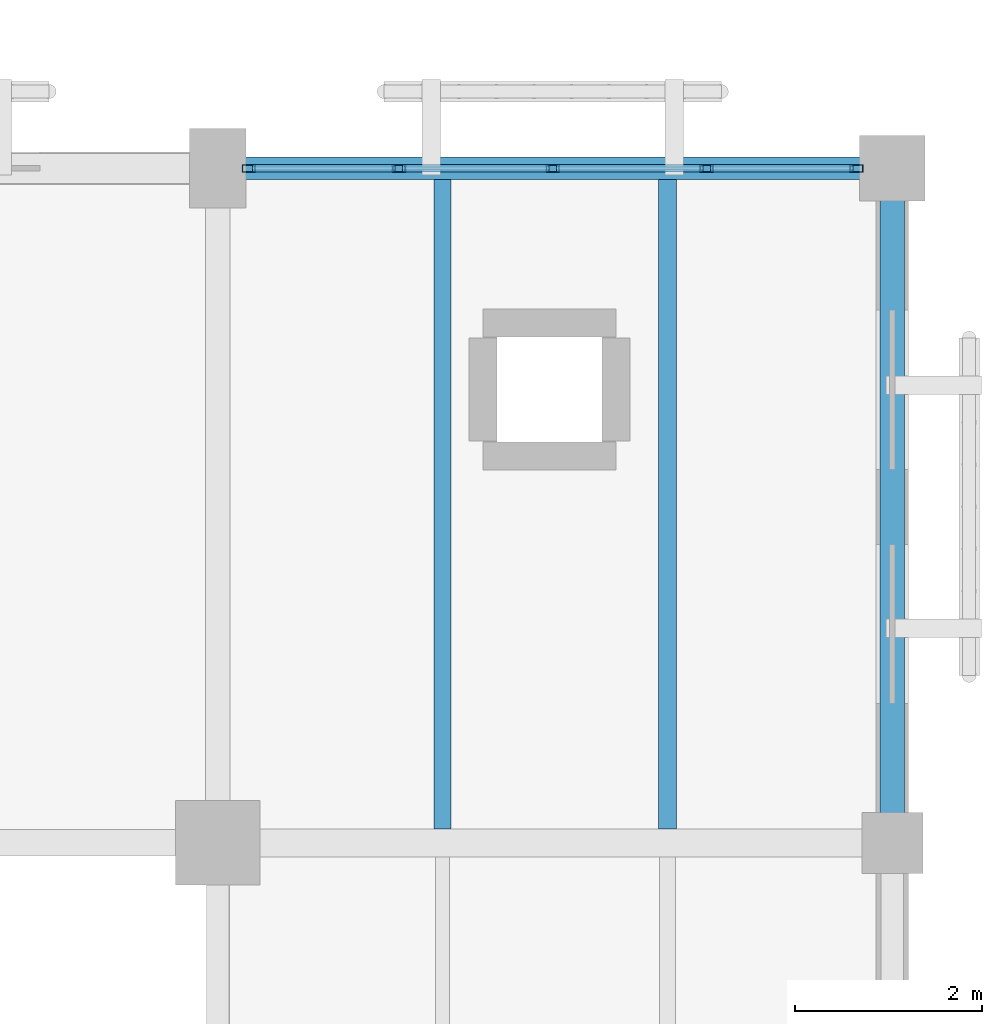
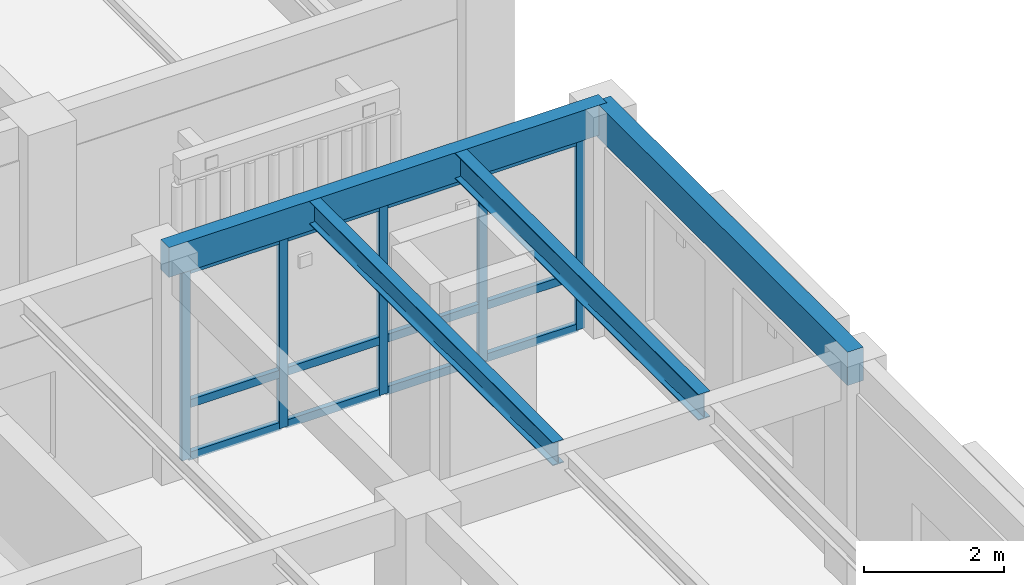
# One storey, part 100 of 170: 17 members, 4 beams, 1 element without a shape of its own.
"""IFC4 building model written with IfcOpenShell, lengths in metres."""

from ifc_helpers import new_model, si_unit, direction, frame, origin, origin_2d, place, context, subcontext, project, spatial, rectangle, hollow_rectangle, i_section, extrude, material, layer, layer_set, material_profile, profile_set, type_object, element, aggregate, save


model = new_model("IFC4")

# Units and contexts
model_context = context("Model", 3, precision=1e-05, world=origin(), true_north=direction((0.0, 1.0)))
body_context = subcontext(model_context, "Body", "Model", "MODEL_VIEW")
ifc_project = project(units=[si_unit("LENGTHUNIT", "METRE"), si_unit("AREAUNIT", "SQUARE_METRE"), si_unit("VOLUMEUNIT", "CUBIC_METRE"), si_unit("PLANEANGLEUNIT", "RADIAN"), si_unit("MASSUNIT", "GRAM", prefix="KILO")], contexts=[model_context])

# Site, building, storey
site_placement = place(None, origin())
site = spatial("IfcSite", under=ifc_project, at=site_placement, CompositionType="ELEMENT")
building_placement = place(site_placement, origin())
building = spatial("IfcBuilding", under=site, at=building_placement, Name="Mazaris Harbour Polytechnic", CompositionType="ELEMENT")
storey_placement = place(building_placement, frame((0.0, 0.0, 5.39990234375)))
storey = spatial("IfcBuildingStorey", under=building, at=storey_placement, Name="L01", CompositionType="ELEMENT", Elevation=5.39990234375)

# Curtain wall, members
ifc_material_1 = material(Name="Anodised Bronze Aluminium and Low-E Glass", Category="aluminium")
ifc_layer = layer(ifc_material_1, 0.159912109375, Name="Anodised Bronze Aluminium and Low-E Glass")
ifc_layer_set = layer_set([ifc_layer], Name="Anodised Bronze Aluminium and Low-E Glass")
curtain_wall_type = type_object("IfcCurtainWallType", Name="Cloister Court Curtain Wall", PredefinedType="NOTDEFINED", material=ifc_layer_set)
curtain_wall_placement = place(storey_placement, origin())
curtain_wall = element("IfcCurtainWall", 1, at=curtain_wall_placement, inside=storey, type_object=curtain_wall_type, Name="V2 L01 Curtain Wall 46", PredefinedType="NOTDEFINED")
ifc_material_2 = material(Name="Anodised Bronze Steel S355", Category="steel")
ifc_material_profile_1 = material_profile(ifc_material_2, hollow_rectangle(XDim=0.080078125, YDim=0.139892578125, WallThickness=0.00634765625, at=origin_2d()), Name="RHS 80x140x6.3")
ifc_profile_set_1 = profile_set([ifc_material_profile_1], Name="Anodised Bronze Steel S355")
member_type_1 = type_object("IfcMemberType", Name="Curtain Mullion RHS80x140", PredefinedType="MULLION", material=ifc_profile_set_1)
member_1_placement = place(storey_placement, frame((165.931884765625, 43.199951171875, 0.0), z_axis=(0.0, 0.0, 1.0), x_axis=(0.0, 1.0, 0.0)))
member_1 = element("IfcMember", 2, at=member_1_placement, type_object=member_type_1, Name="CW-02 mullion 1", PredefinedType="MULLION", context=body_context, shape_type="SweptSolid", body=[
    extrude(hollow_rectangle(XDim=0.080078125, YDim=0.139892578125, WallThickness=0.00634765625, at=origin_2d()), origin(), (0.0, 0.0, 1.0), 3.320068359375),
])
member_2_placement = place(storey_placement, frame((167.533447265625, 43.199951171875, 0.0), z_axis=(0.0, 0.0, 1.0), x_axis=(0.0, 1.0, 0.0)))
member_2 = element("IfcMember", 3, at=member_2_placement, type_object=member_type_1, Name="CW-02 mullion 2", PredefinedType="MULLION", context=body_context, shape_type="SweptSolid", body=[
    extrude(hollow_rectangle(XDim=0.080078125, YDim=0.139892578125, WallThickness=0.00634765625, at=origin_2d()), origin(), (0.0, 0.0, 1.0), 3.320068359375),
])
member_3_placement = place(storey_placement, frame((169.175048828125, 43.199951171875, 0.0), z_axis=(0.0, 0.0, 1.0), x_axis=(0.0, 1.0, 0.0)))
member_3 = element("IfcMember", 4, at=member_3_placement, type_object=member_type_1, Name="CW-02 mullion 3", PredefinedType="MULLION", context=body_context, shape_type="SweptSolid", body=[
    extrude(hollow_rectangle(XDim=0.080078125, YDim=0.139892578125, WallThickness=0.00634765625, at=origin_2d()), origin(), (0.0, 0.0, 1.0), 3.320068359375),
])
member_4_placement = place(storey_placement, frame((170.81640625, 43.199951171875, 0.0), z_axis=(0.0, 0.0, 1.0), x_axis=(0.0, 1.0, 0.0)))
member_4 = element("IfcMember", 5, at=member_4_placement, type_object=member_type_1, Name="CW-02 mullion 4", PredefinedType="MULLION", context=body_context, shape_type="SweptSolid", body=[
    extrude(hollow_rectangle(XDim=0.080078125, YDim=0.139892578125, WallThickness=0.00634765625, at=origin_2d()), origin(), (0.0, 0.0, 1.0), 3.320068359375),
])
member_5_placement = place(storey_placement, frame((172.41796875, 43.199951171875, 0.0), z_axis=(0.0, 0.0, 1.0), x_axis=(0.0, 1.0, 0.0)))
member_5 = element("IfcMember", 6, at=member_5_placement, type_object=member_type_1, Name="CW-02 mullion 5", PredefinedType="MULLION", context=body_context, shape_type="SweptSolid", body=[
    extrude(hollow_rectangle(XDim=0.080078125, YDim=0.139892578125, WallThickness=0.00634765625, at=origin_2d()), origin(), (0.0, 0.0, 1.0), 3.320068359375),
])
ifc_material_3 = material(Name="Anodised Bronze Steel S355", Category="steel")
ifc_material_profile_2 = material_profile(ifc_material_3, hollow_rectangle(XDim=0.080078125, YDim=0.139892578125, WallThickness=0.00634765625, at=origin_2d()), Name="RHS 80x140x6.3")
ifc_profile_set_2 = profile_set([ifc_material_profile_2], Name="Anodised Bronze Steel S355")
member_type_2 = type_object("IfcMemberType", Name="Curtain Transom RHS80x140", PredefinedType="USERDEFINED", material=ifc_profile_set_2)
member_6_placement = place(storey_placement, frame((165.971923828125, 43.199951171875, 0.0400390625), z_axis=(1.0, 0.0, 0.0), x_axis=(0.0, 1.0, 0.0)))
member_6 = element("IfcMember", 7, at=member_6_placement, type_object=member_type_2, Name="CW-02 transom 1.1", ObjectType="TRANSOM", PredefinedType="USERDEFINED", context=body_context, shape_type="SweptSolid", body=[
    extrude(hollow_rectangle(XDim=0.080078125, YDim=0.139892578125, WallThickness=0.00634765625, at=origin_2d()), origin(), (0.0, 0.0, 1.0), 1.521484375),
])
member_7_placement = place(storey_placement, frame((165.971923828125, 43.199951171875, 0.9501953125), z_axis=(1.0, 0.0, 0.0), x_axis=(0.0, 1.0, 0.0)))
member_7 = element("IfcMember", 8, at=member_7_placement, type_object=member_type_2, Name="CW-02 transom 1.2", ObjectType="TRANSOM", PredefinedType="USERDEFINED", context=body_context, shape_type="SweptSolid", body=[
    extrude(hollow_rectangle(XDim=0.080078125, YDim=0.139892578125, WallThickness=0.00634765625, at=origin_2d()), origin(), (0.0, 0.0, 1.0), 1.521484375),
])
member_8_placement = place(storey_placement, frame((165.971923828125, 43.199951171875, 3.280029296875), z_axis=(1.0, 0.0, 0.0), x_axis=(0.0, 1.0, 0.0)))
member_8 = element("IfcMember", 9, at=member_8_placement, type_object=member_type_2, Name="CW-02 transom 1.3", ObjectType="TRANSOM", PredefinedType="USERDEFINED", context=body_context, shape_type="SweptSolid", body=[
    extrude(hollow_rectangle(XDim=0.080078125, YDim=0.139892578125, WallThickness=0.00634765625, at=origin_2d()), origin(), (0.0, 0.0, 1.0), 1.521484375),
])
member_9_placement = place(storey_placement, frame((167.573486328125, 43.199951171875, 0.0400390625), z_axis=(1.0, 0.0, 0.0), x_axis=(0.0, 1.0, 0.0)))
member_9 = element("IfcMember", 10, at=member_9_placement, type_object=member_type_2, Name="CW-02 transom 2.1", ObjectType="TRANSOM", PredefinedType="USERDEFINED", context=body_context, shape_type="SweptSolid", body=[
    extrude(hollow_rectangle(XDim=0.080078125, YDim=0.139892578125, WallThickness=0.00634765625, at=origin_2d()), origin(), (0.0, 0.0, 1.0), 1.5615234375),
])
member_10_placement = place(storey_placement, frame((167.573486328125, 43.199951171875, 0.9501953125), z_axis=(1.0, 0.0, 0.0), x_axis=(0.0, 1.0, 0.0)))
member_10 = element("IfcMember", 11, at=member_10_placement, type_object=member_type_2, Name="CW-02 transom 2.2", ObjectType="TRANSOM", PredefinedType="USERDEFINED", context=body_context, shape_type="SweptSolid", body=[
    extrude(hollow_rectangle(XDim=0.080078125, YDim=0.139892578125, WallThickness=0.00634765625, at=origin_2d()), origin(), (0.0, 0.0, 1.0), 1.5615234375),
])
member_11_placement = place(storey_placement, frame((167.573486328125, 43.199951171875, 3.280029296875), z_axis=(1.0, 0.0, 0.0), x_axis=(0.0, 1.0, 0.0)))
member_11 = element("IfcMember", 12, at=member_11_placement, type_object=member_type_2, Name="CW-02 transom 2.3", ObjectType="TRANSOM", PredefinedType="USERDEFINED", context=body_context, shape_type="SweptSolid", body=[
    extrude(hollow_rectangle(XDim=0.080078125, YDim=0.139892578125, WallThickness=0.00634765625, at=origin_2d()), origin(), (0.0, 0.0, 1.0), 1.5615234375),
])
member_12_placement = place(storey_placement, frame((169.215087890625, 43.199951171875, 0.0400390625), z_axis=(1.0, 0.0, 0.0), x_axis=(0.0, 1.0, 0.0)))
member_12 = element("IfcMember", 13, at=member_12_placement, type_object=member_type_2, Name="CW-02 transom 3.1", ObjectType="TRANSOM", PredefinedType="USERDEFINED", context=body_context, shape_type="SweptSolid", body=[
    extrude(hollow_rectangle(XDim=0.080078125, YDim=0.139892578125, WallThickness=0.00634765625, at=origin_2d()), origin(), (0.0, 0.0, 1.0), 1.5615234375),
])
member_13_placement = place(storey_placement, frame((169.215087890625, 43.199951171875, 0.9501953125), z_axis=(1.0, 0.0, 0.0), x_axis=(0.0, 1.0, 0.0)))
member_13 = element("IfcMember", 14, at=member_13_placement, type_object=member_type_2, Name="CW-02 transom 3.2", ObjectType="TRANSOM", PredefinedType="USERDEFINED", context=body_context, shape_type="SweptSolid", body=[
    extrude(hollow_rectangle(XDim=0.080078125, YDim=0.139892578125, WallThickness=0.00634765625, at=origin_2d()), origin(), (0.0, 0.0, 1.0), 1.5615234375),
])
member_14_placement = place(storey_placement, frame((169.215087890625, 43.199951171875, 3.280029296875), z_axis=(1.0, 0.0, 0.0), x_axis=(0.0, 1.0, 0.0)))
member_14 = element("IfcMember", 15, at=member_14_placement, type_object=member_type_2, Name="CW-02 transom 3.3", ObjectType="TRANSOM", PredefinedType="USERDEFINED", context=body_context, shape_type="SweptSolid", body=[
    extrude(hollow_rectangle(XDim=0.080078125, YDim=0.139892578125, WallThickness=0.00634765625, at=origin_2d()), origin(), (0.0, 0.0, 1.0), 1.5615234375),
])
member_15_placement = place(storey_placement, frame((170.8564453125, 43.199951171875, 0.0400390625), z_axis=(1.0, 0.0, 0.0), x_axis=(0.0, 1.0, 0.0)))
member_15 = element("IfcMember", 16, at=member_15_placement, type_object=member_type_2, Name="CW-02 transom 4.1", ObjectType="TRANSOM", PredefinedType="USERDEFINED", context=body_context, shape_type="SweptSolid", body=[
    extrude(hollow_rectangle(XDim=0.080078125, YDim=0.139892578125, WallThickness=0.00634765625, at=origin_2d()), origin(), (0.0, 0.0, 1.0), 1.521484375),
])
member_16_placement = place(storey_placement, frame((170.8564453125, 43.199951171875, 0.9501953125), z_axis=(1.0, 0.0, 0.0), x_axis=(0.0, 1.0, 0.0)))
member_16 = element("IfcMember", 17, at=member_16_placement, type_object=member_type_2, Name="CW-02 transom 4.2", ObjectType="TRANSOM", PredefinedType="USERDEFINED", context=body_context, shape_type="SweptSolid", body=[
    extrude(hollow_rectangle(XDim=0.080078125, YDim=0.139892578125, WallThickness=0.00634765625, at=origin_2d()), origin(), (0.0, 0.0, 1.0), 1.521484375),
])
member_17_placement = place(storey_placement, frame((170.8564453125, 43.199951171875, 3.280029296875), z_axis=(1.0, 0.0, 0.0), x_axis=(0.0, 1.0, 0.0)))
member_17 = element("IfcMember", 18, at=member_17_placement, type_object=member_type_2, Name="CW-02 transom 4.3", ObjectType="TRANSOM", PredefinedType="USERDEFINED", context=body_context, shape_type="SweptSolid", body=[
    extrude(hollow_rectangle(XDim=0.080078125, YDim=0.139892578125, WallThickness=0.00634765625, at=origin_2d()), origin(), (0.0, 0.0, 1.0), 1.521484375),
])
aggregate(curtain_wall, [member_1, member_2, member_3, member_4, member_5, member_6, member_7, member_8, member_9, member_10, member_11, member_12, member_13, member_14, member_15, member_16, member_17])

# Beams
ifc_material_4 = material(Name="Glulam GL32h", Category="wood")
ifc_material_profile_3 = material_profile(ifc_material_4, rectangle(XDim=0.239990234375, YDim=0.52001953125, at=origin_2d()), Name="RECT240x520")
ifc_profile_set_3 = profile_set([ifc_material_profile_3], Name="Glulam GL32h")
beam_type_1 = type_object("IfcBeamType", Name="Glulam Girder 240x520 Exterior", PredefinedType="BEAM", material=ifc_profile_set_3)
beam_1_placement = place(storey_placement, frame((165.60009765625, 43.199951171875, 3.590087890625), z_axis=(1.0, 0.0, 0.0), x_axis=(0.0, 1.0, 0.0)))
element("IfcBeam", 19, at=beam_1_placement, inside=storey, type_object=beam_type_1, Name="V2 L01 Girder 555", PredefinedType="BEAM", context=body_context, shape_type="SweptSolid", body=[
    extrude(rectangle(XDim=0.239990234375, YDim=0.52001953125, at=origin_2d()), origin(), (0.0, 0.0, 1.0), 7.199951171875),
])
ifc_material_5 = material(Name="Glulam GL32h", Category="wood")
ifc_material_profile_4 = material_profile(ifc_material_5, rectangle(XDim=0.260009765625, YDim=0.580078125, at=origin_2d()), Name="RECT260x580")
ifc_profile_set_4 = profile_set([ifc_material_profile_4], Name="Glulam GL32h")
beam_type_2 = type_object("IfcBeamType", Name="Glulam Girder 260x580 Exterior", PredefinedType="BEAM", material=ifc_profile_set_4)
beam_2_placement = place(storey_placement, frame((172.800048828125, 36.0, 3.56005859375), z_axis=(0.0, 1.0, 0.0), x_axis=(-1.0, 0.0, 0.0)))
element("IfcBeam", 20, at=beam_2_placement, inside=storey, type_object=beam_type_2, Name="V2 L01 Tie Girder 581", PredefinedType="BEAM", context=body_context, shape_type="SweptSolid", body=[
    extrude(rectangle(XDim=0.260009765625, YDim=0.580078125, at=origin_2d()), origin(), (0.0, 0.0, 1.0), 7.199951171875),
])
ifc_material_6 = material(Name="Steel S355", Category="steel")
ifc_material_profile_5 = material_profile(ifc_material_6, i_section(OverallWidth=0.179931640625, OverallDepth=0.39990234375, WebThickness=0.008544921875, FlangeThickness=0.013427734375, FilletRadius=0.02099609375, at=origin_2d()), Name="IPE 400")
ifc_profile_set_5 = profile_set([ifc_material_profile_5], Name="Steel S355")
beam_type_3 = type_object("IfcBeamType", Name="Steel Joist IPE400", PredefinedType="JOIST", material=ifc_profile_set_5)
beam_3_placement = place(storey_placement, frame((168.0, 36.14990234375, 3.650146484375), z_axis=(0.0, 1.0, 0.0), x_axis=(-1.0, 0.0, 0.0)))
element("IfcBeam", 21, at=beam_3_placement, inside=storey, type_object=beam_type_3, Name="V2 L01 Floor Joist 642", PredefinedType="JOIST", context=body_context, shape_type="SweptSolid", body=[
    extrude(i_section(OverallWidth=0.179931640625, OverallDepth=0.39990234375, WebThickness=0.008544921875, FlangeThickness=0.013427734375, FilletRadius=0.02099609375, at=origin_2d()), origin(), (0.0, 0.0, 1.0), 6.93017578125),
])
ifc_material_7 = material(Name="Steel S355", Category="steel")
ifc_material_profile_6 = material_profile(ifc_material_7, i_section(OverallWidth=0.18994140625, OverallDepth=0.449951171875, WebThickness=0.009521484375, FlangeThickness=0.0146484375, FilletRadius=0.02099609375, at=origin_2d()), Name="IPE 450")
ifc_profile_set_6 = profile_set([ifc_material_profile_6], Name="Steel S355")
beam_type_4 = type_object("IfcBeamType", Name="Steel Joist IPE450", PredefinedType="JOIST", material=ifc_profile_set_6)
beam_4_placement = place(storey_placement, frame((170.39990234375, 36.14990234375, 3.625), z_axis=(0.0, 1.0, 0.0), x_axis=(-1.0, 0.0, 0.0)))
element("IfcBeam", 22, at=beam_4_placement, inside=storey, type_object=beam_type_4, Name="V2 L01 Floor Joist 643", PredefinedType="JOIST", context=body_context, shape_type="SweptSolid", body=[
    extrude(i_section(OverallWidth=0.18994140625, OverallDepth=0.449951171875, WebThickness=0.009521484375, FlangeThickness=0.0146484375, FilletRadius=0.02099609375, at=origin_2d()), origin(), (0.0, 0.0, 1.0), 6.93017578125),
])

save(model, "model.ifc")
